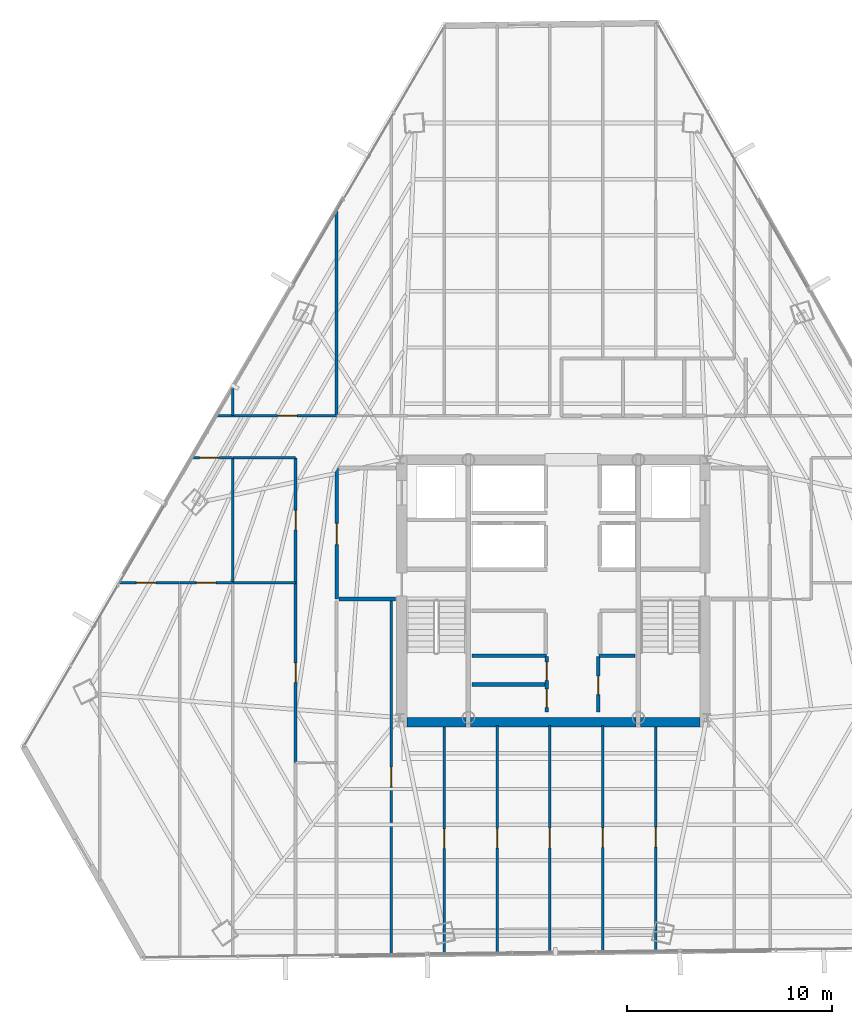
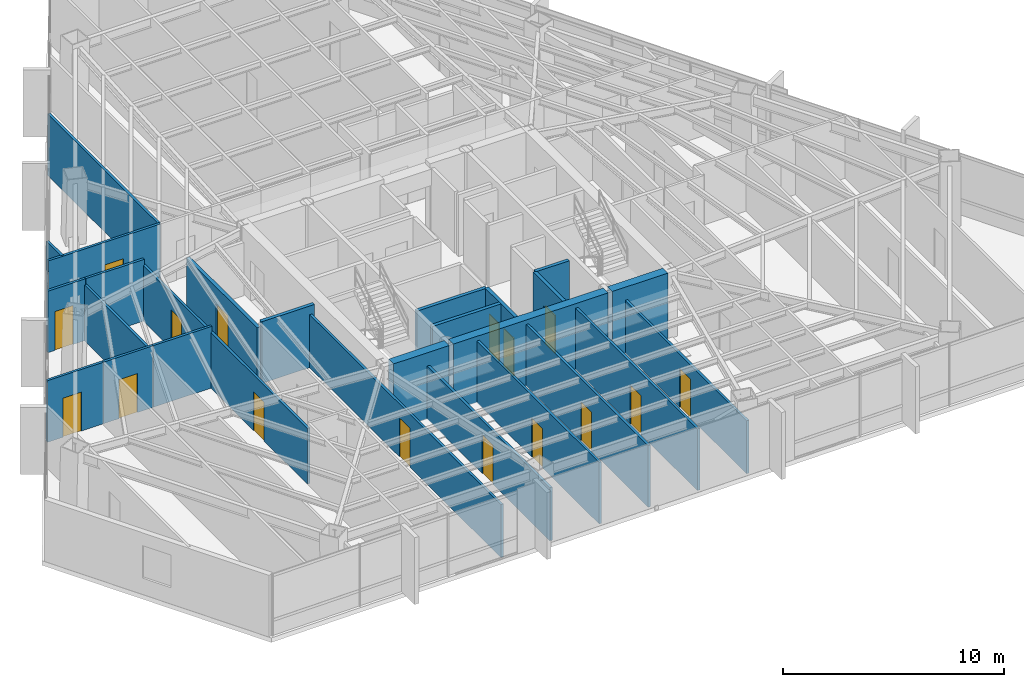
# One storey, part 36 of 42: 27 walls, 16 doors, 16 openings.
"""IFC4 building model written with IfcOpenShell, lengths in metres."""

from ifc_helpers import new_model, si_unit, direction, frame, frame_2d, origin, place, context, subcontext, project, spatial, rectangle, extrude, material, layer, layer_set, type_object, element, fill, save


model = new_model("IFC4")

# Units and contexts
model_context = context("Model", 3, precision=1e-05, world=origin(), true_north=direction((0.0, 1.0)))
body_context = subcontext(model_context, "Body", "Model", "MODEL_VIEW")
ifc_project = project(units=[si_unit("LENGTHUNIT", "METRE"), si_unit("AREAUNIT", "SQUARE_METRE"), si_unit("VOLUMEUNIT", "CUBIC_METRE"), si_unit("PLANEANGLEUNIT", "RADIAN"), si_unit("MASSUNIT", "GRAM", prefix="KILO")], contexts=[model_context])

# Site, building, storey
site_placement = place(None, origin())
site = spatial("IfcSite", under=ifc_project, at=site_placement, CompositionType="ELEMENT")
building_placement = place(site_placement, origin())
building = spatial("IfcBuilding", under=site, at=building_placement, Name="Caelisora Broadcast Tower", CompositionType="ELEMENT")
storey_placement = place(building_placement, frame((0.0, 0.0, 131.800048828125)))
storey = spatial("IfcBuildingStorey", under=building, at=storey_placement, Name="L34", CompositionType="ELEMENT", Elevation=131.800048828125)

# Walls
ifc_material_1 = material(Name="Concrete 50 MPa (AS 3600 S50)", Category="concrete")
ifc_layer_1 = layer(ifc_material_1, 0.449951171875, Name="Concrete 50 MPa (AS 3600 S50)")
ifc_layer_set_1 = layer_set([ifc_layer_1], Name="Concrete 50 MPa (AS 3600 S50)")
wall_type_1 = type_object("IfcWallType", Name="CW5", PredefinedType="SHEAR", material=ifc_layer_set_1)
wall_1_placement = place(storey_placement, frame((30.840087890625, 17.175048828125, 0.0), z_axis=(0.0, 0.0, 1.0), x_axis=(1.0, 0.0, 0.0)))
element("IfcWall", 1, at=wall_1_placement, inside=storey, type_object=wall_type_1, Name="L34 core shear wall CW5", PredefinedType="SHEAR", context=body_context, shape_type="SweptSolid", body=[
    extrude(rectangle(XDim=2.89990234375, YDim=0.449951171875, at=frame_2d((1.449951171875, 0.0))), origin(), (0.0, 0.0, 1.0), 3.64990234375),
])
wall_2_placement = place(storey_placement, frame((33.9599609375, 17.175048828125, 0.0), z_axis=(0.0, 0.0, 1.0), x_axis=(1.0, 0.0, 0.0)))
element("IfcWall", 2, at=wall_2_placement, inside=storey, type_object=wall_type_1, Name="L34 core shear wall CW5", PredefinedType="SHEAR", context=body_context, shape_type="SweptSolid", body=[
    extrude(rectangle(XDim=8.080078125, YDim=0.449951171875, at=frame_2d((4.0400390625, 0.0))), origin(), (0.0, 0.0, 1.0), 3.64990234375),
])
wall_3_placement = place(storey_placement, frame((42.260009765625, 17.175048828125, 0.0), z_axis=(0.0, 0.0, 1.0), x_axis=(1.0, 0.0, 0.0)))
element("IfcWall", 3, at=wall_3_placement, inside=storey, type_object=wall_type_1, Name="L34 core shear wall CW5", PredefinedType="SHEAR", context=body_context, shape_type="SweptSolid", body=[
    extrude(rectangle(XDim=2.89990234375, YDim=0.449951171875, at=frame_2d((1.449951171875, 0.0))), origin(), (0.0, 0.0, 1.0), 3.64990234375),
])

# Wall, opening, door
ifc_material_2 = material(Name="Fire-Rated Gypsum Shaft and Compartment Wall", Category="gypsum")
ifc_layer_2 = layer(ifc_material_2, 0.179931640625, Name="Fire-Rated Gypsum Shaft and Compartment Wall")
ifc_layer_set_2 = layer_set([ifc_layer_2], Name="Fire-Rated Gypsum Shaft and Compartment Wall")
wall_type_2 = type_object("IfcWallType", Name="PW2", PredefinedType="PARTITIONING", material=ifc_layer_set_2)
wall_4_placement = place(storey_placement, frame((27.419921875, 23.199951171875, 0.0), z_axis=(0.0, 0.0, 1.0), x_axis=(0.0, 1.0, 0.0)))
wall_4 = element("IfcWall", 4, at=wall_4_placement, inside=storey, type_object=wall_type_2, Name="L34 fire compartment wall PW2", PredefinedType="PARTITIONING", context=body_context, shape_type="SweptSolid", body=[
    extrude(rectangle(XDim=6.400146484375, YDim=0.179931640625, at=frame_2d((3.2001953125, 0.0))), origin(), (0.0, 0.0, 1.0), 3.07763671875),
])
opening_1_placement = place(wall_4_placement, frame((2.64990234375, 0.0, 0.0)))
opening_1 = element("IfcOpeningElement", 5, at=opening_1_placement, cuts=wall_4, Name="Opening FD02", PredefinedType="OPENING", context=body_context, shape_type="SweptSolid", body=[
    extrude(rectangle(XDim=1.050048828125, YDim=2.14990234375, at=frame_2d((0.52490234375, 1.074951171875))), frame((0.0, 0.10205078125, 0.0), z_axis=(0.0, -1.0, 0.0), x_axis=(1.0, 0.0, 0.0)), (0.0, 0.0, 1.0), 0.203857421875),
])
ifc_material_3 = material(Name="Single-Leaf Steel Fire Lobby Door", Category="steel")
door_type_1 = type_object("IfcDoorType", Name="FD02", OperationType="NOTDEFINED", PredefinedType="DOOR", material=ifc_material_3)
door_1_placement = place(opening_1_placement, origin())
door_1 = element("IfcDoor", 6, at=door_1_placement, inside=storey, type_object=door_type_1, Name="L34 door FD02 (L34-DR-P01D1)", OperationType="SINGLE_SWING_RIGHT", OverallHeight=2.14990234375, OverallWidth=1.050048828125, PredefinedType="DOOR", context=body_context, shape_type="SweptSolid", body=[
    extrude(rectangle(XDim=1.050048828125, YDim=2.14990234375, at=frame_2d((0.52490234375, 1.074951171875))), frame((0.0, 0.02490234375, 0.0), z_axis=(0.0, -1.0, 0.0), x_axis=(1.0, 0.0, 0.0)), (0.0, 0.0, 1.0), 0.050048828125),
])
fill(opening_1, door_1)

# Walls
wall_5_placement = place(storey_placement, frame((27.52001953125, 23.199951171875, 0.0), z_axis=(0.0, 0.0, 1.0), x_axis=(1.0, 0.0, 0.0)))
element("IfcWall", 7, at=wall_5_placement, inside=storey, type_object=wall_type_2, Name="L34 fire compartment wall PW2", PredefinedType="PARTITIONING", context=body_context, shape_type="SweptSolid", body=[
    extrude(rectangle(XDim=2.760009765625, YDim=0.179931640625, at=frame_2d((1.3798828125, 0.0))), origin(), (0.0, 0.0, 1.0), 3.39990234375),
])
wall_6_placement = place(storey_placement, frame((34.02001953125, 20.419921875, 0.0), z_axis=(0.0, 0.0, 1.0), x_axis=(1.0, 0.0, 0.0)))
element("IfcWall", 8, at=wall_6_placement, inside=storey, type_object=wall_type_2, Name="L34 fire compartment wall PW2", PredefinedType="PARTITIONING", context=body_context, shape_type="SweptSolid", body=[
    extrude(rectangle(XDim=3.639892578125, YDim=0.179931640625, at=frame_2d((1.81982421875, 0.0))), origin(), (0.0, 0.0, 1.0), 3.39990234375),
])
wall_7_placement = place(storey_placement, frame((40.219970703125, 20.419921875, 0.0), z_axis=(0.0, 0.0, 1.0), x_axis=(1.0, 0.0, 0.0)))
element("IfcWall", 9, at=wall_7_placement, inside=storey, type_object=wall_type_2, Name="L34 fire compartment wall PW2", PredefinedType="PARTITIONING", context=body_context, shape_type="SweptSolid", body=[
    extrude(rectangle(XDim=1.760009765625, YDim=0.179931640625, at=frame_2d((0.8798828125, 0.0))), origin(), (0.0, 0.0, 1.0), 3.39990234375),
])
wall_8_placement = place(storey_placement, frame((34.02001953125, 19.02001953125, 0.0), z_axis=(0.0, 0.0, 1.0), x_axis=(1.0, 0.0, 0.0)))
element("IfcWall", 10, at=wall_8_placement, inside=storey, type_object=wall_type_2, Name="L34 fire compartment wall PW2", PredefinedType="PARTITIONING", context=body_context, shape_type="SweptSolid", body=[
    extrude(rectangle(XDim=3.580078125, YDim=0.179931640625, at=frame_2d((1.7900390625, 0.0))), origin(), (0.0, 0.0, 1.0), 3.39990234375),
])

# Wall, openings, doors
wall_9_placement = place(storey_placement, frame((37.679931640625, 17.679931640625, 0.0), z_axis=(0.0, 0.0, 1.0), x_axis=(0.0, 1.0, 0.0)))
wall_9 = element("IfcWall", 11, at=wall_9_placement, inside=storey, type_object=wall_type_2, Name="L34 fire compartment wall PW2", PredefinedType="PARTITIONING", context=body_context, shape_type="SweptSolid", body=[
    extrude(rectangle(XDim=2.699951171875, YDim=0.179931640625, at=frame_2d((1.35009765625, 0.0))), origin(), (0.0, 0.0, 1.0), 3.39990234375),
])
opening_2_placement = place(wall_9_placement, frame((0.219970703125, 0.0, 0.0)))
opening_2 = element("IfcOpeningElement", 12, at=opening_2_placement, cuts=wall_9, Name="Opening FD03", PredefinedType="OPENING", context=body_context, shape_type="SweptSolid", body=[
    extrude(rectangle(XDim=0.89990234375, YDim=2.10009765625, at=frame_2d((0.449951171875, 1.050048828125))), frame((0.0, 0.10205078125, 0.0), z_axis=(0.0, -1.0, 0.0), x_axis=(1.0, 0.0, 0.0)), (0.0, 0.0, 1.0), 0.203857421875),
])
opening_3_placement = place(wall_9_placement, frame((1.5400390625, 0.0, 0.0)))
opening_3 = element("IfcOpeningElement", 13, at=opening_3_placement, cuts=wall_9, Name="Opening FD03", PredefinedType="OPENING", context=body_context, shape_type="SweptSolid", body=[
    extrude(rectangle(XDim=0.89990234375, YDim=2.10009765625, at=frame_2d((0.449951171875, 1.050048828125))), frame((0.0, 0.10205078125, 0.0), z_axis=(0.0, -1.0, 0.0), x_axis=(1.0, 0.0, 0.0)), (0.0, 0.0, 1.0), 0.203857421875),
])
ifc_material_4 = material(Name="Single-Leaf Steel Riser Fire Access Door", Category="steel")
door_type_2 = type_object("IfcDoorType", Name="FD03", OperationType="NOTDEFINED", PredefinedType="DOOR", material=ifc_material_4)
door_2_placement = place(opening_2_placement, origin())
door_2 = element("IfcDoor", 14, at=door_2_placement, inside=storey, type_object=door_type_2, Name="L34 door FD03 (L34-DR-P12D1)", OperationType="SINGLE_SWING_RIGHT", OverallHeight=2.10009765625, OverallWidth=0.89990234375, PredefinedType="DOOR", context=body_context, shape_type="SweptSolid", body=[
    extrude(rectangle(XDim=0.89990234375, YDim=2.10009765625, at=frame_2d((0.449951171875, 1.050048828125))), frame((0.0, 0.02490234375, 0.0), z_axis=(0.0, -1.0, 0.0), x_axis=(1.0, 0.0, 0.0)), (0.0, 0.0, 1.0), 0.050048828125),
])
fill(opening_2, door_2)
door_3_placement = place(opening_3_placement, origin())
door_3 = element("IfcDoor", 15, at=door_3_placement, inside=storey, type_object=door_type_2, Name="L34 door FD03 (L34-DR-P12D2)", OperationType="SINGLE_SWING_LEFT", OverallHeight=2.10009765625, OverallWidth=0.89990234375, PredefinedType="DOOR", context=body_context, shape_type="SweptSolid", body=[
    extrude(rectangle(XDim=0.89990234375, YDim=2.10009765625, at=frame_2d((0.449951171875, 1.050048828125))), frame((0.0, 0.02490234375, 0.0), z_axis=(0.0, -1.0, 0.0), x_axis=(1.0, 0.0, 0.0)), (0.0, 0.0, 1.0), 0.050048828125),
])
fill(opening_3, door_3)

# Wall, opening, door
wall_10_placement = place(storey_placement, frame((40.199951171875, 17.679931640625, 0.0), z_axis=(0.0, 0.0, 1.0), x_axis=(0.0, 1.0, 0.0)))
wall_10 = element("IfcWall", 16, at=wall_10_placement, inside=storey, type_object=wall_type_2, Name="L34 fire compartment wall PW2", PredefinedType="PARTITIONING", context=body_context, shape_type="SweptSolid", body=[
    extrude(rectangle(XDim=2.699951171875, YDim=0.179931640625, at=frame_2d((1.35009765625, 0.0))), origin(), (0.0, 0.0, 1.0), 3.39990234375),
])
opening_4_placement = place(wall_10_placement, frame((0.85009765625, 0.0, 0.0)))
opening_4 = element("IfcOpeningElement", 17, at=opening_4_placement, cuts=wall_10, Name="Opening FD03", PredefinedType="OPENING", context=body_context, shape_type="SweptSolid", body=[
    extrude(rectangle(XDim=0.89990234375, YDim=2.10009765625, at=frame_2d((0.449951171875, 1.050048828125))), frame((0.0, 0.10205078125, 0.0), z_axis=(0.0, -1.0, 0.0), x_axis=(1.0, 0.0, 0.0)), (0.0, 0.0, 1.0), 0.203857421875),
])
door_4_placement = place(opening_4_placement, origin())
door_4 = element("IfcDoor", 18, at=door_4_placement, inside=storey, type_object=door_type_2, Name="L34 door FD03 (L34-DR-P13D1)", OperationType="SINGLE_SWING_RIGHT", OverallHeight=2.10009765625, OverallWidth=0.89990234375, PredefinedType="DOOR", context=body_context, shape_type="SweptSolid", body=[
    extrude(rectangle(XDim=0.89990234375, YDim=2.10009765625, at=frame_2d((0.449951171875, 1.050048828125))), frame((0.0, 0.02490234375, 0.0), z_axis=(0.0, -1.0, 0.0), x_axis=(1.0, 0.0, 0.0)), (0.0, 0.0, 1.0), 0.050048828125),
])
fill(opening_4, door_4)

ifc_material_5 = material(Name="Acoustic Steel-Stud Plasterboard Partition", Category="gypsum")
ifc_layer_3 = layer(ifc_material_5, 0.1298828125, Name="Acoustic Steel-Stud Plasterboard Partition")
ifc_layer_set_3 = layer_set([ifc_layer_3], Name="Acoustic Steel-Stud Plasterboard Partition")
wall_type_3 = type_object("IfcWallType", Name="PW3", PredefinedType="PARTITIONING", material=ifc_layer_set_3)
wall_11_placement = place(storey_placement, frame((30.080078125, 5.826416015625, 0.0), z_axis=(0.0, 0.0, 1.0), x_axis=(0.0, 1.0, 0.0)))
wall_11 = element("IfcWall", 19, at=wall_11_placement, inside=storey, type_object=wall_type_3, Name="L34 internal partition PW3", PredefinedType="PARTITIONING", context=body_context, shape_type="SweptSolid", body=[
    extrude(rectangle(XDim=17.278564453125, YDim=0.1298828125, at=frame_2d((8.63916015625, 0.0))), origin(), (0.0, 0.0, 1.0), 2.924560546875),
])
opening_5_placement = place(wall_11_placement, frame((8.20703125, 0.0, 0.0)))
opening_5 = element("IfcOpeningElement", 20, at=opening_5_placement, cuts=wall_11, Name="Opening D01", PredefinedType="OPENING", context=body_context, shape_type="SweptSolid", body=[
    extrude(rectangle(XDim=0.9599609375, YDim=2.14990234375, at=frame_2d((0.47998046875, 1.074951171875))), frame((0.0, 0.076904296875, 0.0), z_axis=(0.0, -1.0, 0.0), x_axis=(1.0, 0.0, 0.0)), (0.0, 0.0, 1.0), 0.15380859375),
])
ifc_material_6 = material(Name="Solid-Core Timber Acoustic Office Door", Category="wood")
door_type_3 = type_object("IfcDoorType", Name="D01", OperationType="NOTDEFINED", PredefinedType="DOOR", material=ifc_material_6)
door_5_placement = place(opening_5_placement, origin())
door_5 = element("IfcDoor", 21, at=door_5_placement, inside=storey, type_object=door_type_3, Name="L34 door D01 (L34-DR-P35D1)", OperationType="SINGLE_SWING_LEFT", OverallHeight=2.14990234375, OverallWidth=0.9599609375, PredefinedType="DOOR", context=body_context, shape_type="SweptSolid", body=[
    extrude(rectangle(XDim=0.9599609375, YDim=2.14990234375, at=frame_2d((0.47998046875, 1.074951171875))), frame((0.0, 0.02490234375, 0.0), z_axis=(0.0, -1.0, 0.0), x_axis=(1.0, 0.0, 0.0)), (0.0, 0.0, 1.0), 0.050048828125),
])
fill(opening_5, door_5)

wall_12_placement = place(storey_placement, frame((32.659912109375, 5.858642578125, 0.0), z_axis=(0.0, 0.0, 1.0), x_axis=(0.0, 1.0, 0.0)))
wall_12 = element("IfcWall", 22, at=wall_12_placement, inside=storey, type_object=wall_type_3, Name="L34 internal partition PW3", PredefinedType="PARTITIONING", context=body_context, shape_type="SweptSolid", body=[
    extrude(rectangle(XDim=11.166259765625, YDim=0.1298828125, at=frame_2d((5.5830078125, 0.0))), origin(), (0.0, 0.0, 1.0), 2.924560546875),
])
opening_6_placement = place(wall_12_placement, frame((5.152099609375, 0.0, 0.0)))
opening_6 = element("IfcOpeningElement", 23, at=opening_6_placement, cuts=wall_12, Name="Opening D01", PredefinedType="OPENING", context=body_context, shape_type="SweptSolid", body=[
    extrude(rectangle(XDim=0.9599609375, YDim=2.14990234375, at=frame_2d((0.47998046875, 1.074951171875))), frame((0.0, 0.076904296875, 0.0), z_axis=(0.0, -1.0, 0.0), x_axis=(1.0, 0.0, 0.0)), (0.0, 0.0, 1.0), 0.15380859375),
])
door_6_placement = place(opening_6_placement, origin())
door_6 = element("IfcDoor", 24, at=door_6_placement, inside=storey, type_object=door_type_3, Name="L34 door D01 (L34-DR-P42D1)", OperationType="SINGLE_SWING_LEFT", OverallHeight=2.14990234375, OverallWidth=0.9599609375, PredefinedType="DOOR", context=body_context, shape_type="SweptSolid", body=[
    extrude(rectangle(XDim=0.9599609375, YDim=2.14990234375, at=frame_2d((0.47998046875, 1.074951171875))), frame((0.0, 0.02490234375, 0.0), z_axis=(0.0, -1.0, 0.0), x_axis=(1.0, 0.0, 0.0)), (0.0, 0.0, 1.0), 0.050048828125),
])
fill(opening_6, door_6)

wall_13_placement = place(storey_placement, frame((35.25, 5.89111328125, 0.0), z_axis=(0.0, 0.0, 1.0), x_axis=(0.0, 1.0, 0.0)))
wall_13 = element("IfcWall", 25, at=wall_13_placement, inside=storey, type_object=wall_type_3, Name="L34 internal partition PW3", PredefinedType="PARTITIONING", context=body_context, shape_type="SweptSolid", body=[
    extrude(rectangle(XDim=11.1337890625, YDim=0.1298828125, at=frame_2d((5.56689453125, 0.0))), origin(), (0.0, 0.0, 1.0), 3.39990234375),
])
opening_7_placement = place(wall_13_placement, frame((5.132080078125, 0.0, 0.0)))
opening_7 = element("IfcOpeningElement", 26, at=opening_7_placement, cuts=wall_13, Name="Opening D01", PredefinedType="OPENING", context=body_context, shape_type="SweptSolid", body=[
    extrude(rectangle(XDim=0.9599609375, YDim=2.14990234375, at=frame_2d((0.47998046875, 1.074951171875))), frame((0.0, 0.076904296875, 0.0), z_axis=(0.0, -1.0, 0.0), x_axis=(1.0, 0.0, 0.0)), (0.0, 0.0, 1.0), 0.15380859375),
])
door_7_placement = place(opening_7_placement, origin())
door_7 = element("IfcDoor", 27, at=door_7_placement, inside=storey, type_object=door_type_3, Name="L34 door D01 (L34-DR-P43D1)", OperationType="SINGLE_SWING_RIGHT", OverallHeight=2.14990234375, OverallWidth=0.9599609375, PredefinedType="DOOR", context=body_context, shape_type="SweptSolid", body=[
    extrude(rectangle(XDim=0.9599609375, YDim=2.14990234375, at=frame_2d((0.47998046875, 1.074951171875))), frame((0.0, 0.02490234375, 0.0), z_axis=(0.0, -1.0, 0.0), x_axis=(1.0, 0.0, 0.0)), (0.0, 0.0, 1.0), 0.050048828125),
])
fill(opening_7, door_7)

wall_14_placement = place(storey_placement, frame((37.830078125, 5.923583984375, 0.0), z_axis=(0.0, 0.0, 1.0), x_axis=(0.0, 1.0, 0.0)))
wall_14 = element("IfcWall", 28, at=wall_14_placement, inside=storey, type_object=wall_type_3, Name="L34 internal partition PW3", PredefinedType="PARTITIONING", context=body_context, shape_type="SweptSolid", body=[
    extrude(rectangle(XDim=11.101318359375, YDim=0.1298828125, at=frame_2d((5.55078125, 0.0))), origin(), (0.0, 0.0, 1.0), 3.39990234375),
])
opening_8_placement = place(wall_14_placement, frame((5.116943359375, 0.0, 0.0)))
opening_8 = element("IfcOpeningElement", 29, at=opening_8_placement, cuts=wall_14, Name="Opening D01", PredefinedType="OPENING", context=body_context, shape_type="SweptSolid", body=[
    extrude(rectangle(XDim=0.9599609375, YDim=2.14990234375, at=frame_2d((0.47998046875, 1.074951171875))), frame((0.0, 0.076904296875, 0.0), z_axis=(0.0, -1.0, 0.0), x_axis=(1.0, 0.0, 0.0)), (0.0, 0.0, 1.0), 0.15380859375),
])
door_8_placement = place(opening_8_placement, origin())
door_8 = element("IfcDoor", 30, at=door_8_placement, inside=storey, type_object=door_type_3, Name="L34 door D01 (L34-DR-P44D1)", OperationType="SINGLE_SWING_LEFT", OverallHeight=2.14990234375, OverallWidth=0.9599609375, PredefinedType="DOOR", context=body_context, shape_type="SweptSolid", body=[
    extrude(rectangle(XDim=0.9599609375, YDim=2.14990234375, at=frame_2d((0.47998046875, 1.074951171875))), frame((0.0, 0.02490234375, 0.0), z_axis=(0.0, -1.0, 0.0), x_axis=(1.0, 0.0, 0.0)), (0.0, 0.0, 1.0), 0.050048828125),
])
fill(opening_8, door_8)

wall_15_placement = place(storey_placement, frame((40.409912109375, 5.9560546875, 0.0), z_axis=(0.0, 0.0, 1.0), x_axis=(0.0, 1.0, 0.0)))
wall_15 = element("IfcWall", 31, at=wall_15_placement, inside=storey, type_object=wall_type_3, Name="L34 internal partition PW3", PredefinedType="PARTITIONING", context=body_context, shape_type="SweptSolid", body=[
    extrude(rectangle(XDim=11.06884765625, YDim=0.1298828125, at=frame_2d((5.534423828125, 0.0))), origin(), (0.0, 0.0, 1.0), 3.39990234375),
])
opening_9_placement = place(wall_15_placement, frame((5.10205078125, 0.0, 0.0)))
opening_9 = element("IfcOpeningElement", 32, at=opening_9_placement, cuts=wall_15, Name="Opening D01", PredefinedType="OPENING", context=body_context, shape_type="SweptSolid", body=[
    extrude(rectangle(XDim=0.9599609375, YDim=2.14990234375, at=frame_2d((0.47998046875, 1.074951171875))), frame((0.0, 0.076904296875, 0.0), z_axis=(0.0, -1.0, 0.0), x_axis=(1.0, 0.0, 0.0)), (0.0, 0.0, 1.0), 0.15380859375),
])
door_9_placement = place(opening_9_placement, origin())
door_9 = element("IfcDoor", 33, at=door_9_placement, inside=storey, type_object=door_type_3, Name="L34 door D01 (L34-DR-P45D1)", OperationType="SINGLE_SWING_RIGHT", OverallHeight=2.14990234375, OverallWidth=0.9599609375, PredefinedType="DOOR", context=body_context, shape_type="SweptSolid", body=[
    extrude(rectangle(XDim=0.9599609375, YDim=2.14990234375, at=frame_2d((0.47998046875, 1.074951171875))), frame((0.0, 0.02490234375, 0.0), z_axis=(0.0, -1.0, 0.0), x_axis=(1.0, 0.0, 0.0)), (0.0, 0.0, 1.0), 0.050048828125),
])
fill(opening_9, door_9)

wall_16_placement = place(storey_placement, frame((43.0, 5.988525390625, 0.0), z_axis=(0.0, 0.0, 1.0), x_axis=(0.0, 1.0, 0.0)))
wall_16 = element("IfcWall", 34, at=wall_16_placement, inside=storey, type_object=wall_type_3, Name="L34 internal partition PW3", PredefinedType="PARTITIONING", context=body_context, shape_type="SweptSolid", body=[
    extrude(rectangle(XDim=11.036376953125, YDim=0.1298828125, at=frame_2d((5.51806640625, 0.0))), origin(), (0.0, 0.0, 1.0), 2.924560546875),
])
opening_10_placement = place(wall_16_placement, frame((5.0869140625, 0.0, 0.0)))
opening_10 = element("IfcOpeningElement", 35, at=opening_10_placement, cuts=wall_16, Name="Opening D01", PredefinedType="OPENING", context=body_context, shape_type="SweptSolid", body=[
    extrude(rectangle(XDim=0.9599609375, YDim=2.14990234375, at=frame_2d((0.47998046875, 1.074951171875))), frame((0.0, 0.076904296875, 0.0), z_axis=(0.0, -1.0, 0.0), x_axis=(1.0, 0.0, 0.0)), (0.0, 0.0, 1.0), 0.15380859375),
])
door_10_placement = place(opening_10_placement, origin())
door_10 = element("IfcDoor", 36, at=door_10_placement, inside=storey, type_object=door_type_3, Name="L34 door D01 (L34-DR-P46D1)", OperationType="SINGLE_SWING_LEFT", OverallHeight=2.14990234375, OverallWidth=0.9599609375, PredefinedType="DOOR", context=body_context, shape_type="SweptSolid", body=[
    extrude(rectangle(XDim=0.9599609375, YDim=2.14990234375, at=frame_2d((0.47998046875, 1.074951171875))), frame((0.0, 0.02490234375, 0.0), z_axis=(0.0, -1.0, 0.0), x_axis=(1.0, 0.0, 0.0)), (0.0, 0.0, 1.0), 0.050048828125),
])
fill(opening_10, door_10)

# Wall
wall_17_placement = place(storey_placement, frame((27.39990234375, 32.155029296875, 0.0), z_axis=(0.0, 0.0, 1.0), x_axis=(0.0, 1.0, 0.0)))
element("IfcWall", 37, at=wall_17_placement, inside=storey, type_object=wall_type_3, Name="L34 internal partition PW3", PredefinedType="PARTITIONING", context=body_context, shape_type="SweptSolid", body=[
    extrude(rectangle(XDim=9.995849609375, YDim=0.1298828125, at=frame_2d((4.998046875, 0.0))), origin(), (0.0, 0.0, 1.0), 3.39990234375),
])

# Wall, opening, door
wall_18_placement = place(storey_placement, frame((25.39990234375, 15.205078125, 0.0), z_axis=(0.0, 0.0, 1.0), x_axis=(0.0, 1.0, 0.0)))
wall_18 = element("IfcWall", 38, at=wall_18_placement, inside=storey, type_object=wall_type_3, Name="L34 internal partition PW3", PredefinedType="PARTITIONING", context=body_context, shape_type="SweptSolid", body=[
    extrude(rectangle(XDim=8.7900390625, YDim=0.1298828125, at=frame_2d((4.39501953125, 0.0))), origin(), (0.0, 0.0, 1.0), 3.07763671875),
])
opening_11_placement = place(wall_18_placement, frame((3.9150390625, 0.0, 0.0)))
opening_11 = element("IfcOpeningElement", 39, at=opening_11_placement, cuts=wall_18, Name="Opening D01", PredefinedType="OPENING", context=body_context, shape_type="SweptSolid", body=[
    extrude(rectangle(XDim=0.9599609375, YDim=2.14990234375, at=frame_2d((0.47998046875, 1.074951171875))), frame((0.0, 0.076904296875, 0.0), z_axis=(0.0, -1.0, 0.0), x_axis=(1.0, 0.0, 0.0)), (0.0, 0.0, 1.0), 0.15380859375),
])
door_11_placement = place(opening_11_placement, origin())
door_11 = element("IfcDoor", 40, at=door_11_placement, inside=storey, type_object=door_type_3, Name="L34 door D01 (L34-DR-P53D1)", OperationType="SINGLE_SWING_RIGHT", OverallHeight=2.14990234375, OverallWidth=0.9599609375, PredefinedType="DOOR", context=body_context, shape_type="SweptSolid", body=[
    extrude(rectangle(XDim=0.9599609375, YDim=2.14990234375, at=frame_2d((0.47998046875, 1.074951171875))), frame((0.0, 0.02490234375, 0.0), z_axis=(0.0, -1.0, 0.0), x_axis=(1.0, 0.0, 0.0)), (0.0, 0.0, 1.0), 0.050048828125),
])
fill(opening_11, door_11)

wall_19_placement = place(storey_placement, frame((25.39990234375, 30.094970703125, 0.0), z_axis=(0.0, 0.0, 1.0), x_axis=(0.0, -1.0, 0.0)))
wall_19 = element("IfcWall", 41, at=wall_19_placement, inside=storey, type_object=wall_type_3, Name="L34 internal partition PW3", PredefinedType="PARTITIONING", context=body_context, shape_type="SweptSolid", body=[
    extrude(rectangle(XDim=6.090087890625, YDim=0.1298828125, at=frame_2d((3.044921875, 0.0))), origin(), (0.0, 0.0, 1.0), 3.07763671875),
])
opening_12_placement = place(wall_19_placement, frame((2.56494140625, 0.0, 0.0)))
opening_12 = element("IfcOpeningElement", 42, at=opening_12_placement, cuts=wall_19, Name="Opening D01", PredefinedType="OPENING", context=body_context, shape_type="SweptSolid", body=[
    extrude(rectangle(XDim=0.9599609375, YDim=2.14990234375, at=frame_2d((0.47998046875, 1.074951171875))), frame((0.0, 0.076904296875, 0.0), z_axis=(0.0, -1.0, 0.0), x_axis=(1.0, 0.0, 0.0)), (0.0, 0.0, 1.0), 0.15380859375),
])
door_12_placement = place(opening_12_placement, origin())
door_12 = element("IfcDoor", 43, at=door_12_placement, inside=storey, type_object=door_type_3, Name="L34 door D01 (L34-DR-P56D1)", OperationType="SINGLE_SWING_RIGHT", OverallHeight=2.14990234375, OverallWidth=0.9599609375, PredefinedType="DOOR", context=body_context, shape_type="SweptSolid", body=[
    extrude(rectangle(XDim=0.9599609375, YDim=2.14990234375, at=frame_2d((0.47998046875, 1.074951171875))), frame((0.0, 0.02490234375, 0.0), z_axis=(0.0, -1.0, 0.0), x_axis=(1.0, 0.0, 0.0)), (0.0, 0.0, 1.0), 0.050048828125),
])
fill(opening_12, door_12)

# Wall
wall_20_placement = place(storey_placement, frame((22.330078125, 24.0048828125, 0.0), z_axis=(0.0, 0.0, 1.0), x_axis=(0.0, 1.0, 0.0)))
element("IfcWall", 44, at=wall_20_placement, inside=storey, type_object=wall_type_3, Name="L34 internal partition PW3", PredefinedType="PARTITIONING", context=body_context, shape_type="SweptSolid", body=[
    extrude(rectangle(XDim=6.090087890625, YDim=0.1298828125, at=frame_2d((3.044921875, 0.0))), origin(), (0.0, 0.0, 1.0), 3.07763671875),
])

# Wall, opening, door
wall_21_placement = place(storey_placement, frame((21.58154296875, 32.14990234375, 0.0), z_axis=(0.0, 0.0, 1.0), x_axis=(1.0, 0.0, 0.0)))
wall_21 = element("IfcWall", 45, at=wall_21_placement, inside=storey, type_object=wall_type_3, Name="L34 internal partition PW3", PredefinedType="PARTITIONING", context=body_context, shape_type="SweptSolid", body=[
    extrude(rectangle(XDim=5.8134765625, YDim=0.1298828125, at=frame_2d((2.90673828125, 0.0))), origin(), (0.0, 0.0, 1.0), 3.39990234375),
])
opening_13_placement = place(wall_21_placement, frame((2.93994140625, 0.0, 0.0)))
opening_13 = element("IfcOpeningElement", 46, at=opening_13_placement, cuts=wall_21, Name="Opening D01", PredefinedType="OPENING", context=body_context, shape_type="SweptSolid", body=[
    extrude(rectangle(XDim=0.9599609375, YDim=2.14990234375, at=frame_2d((0.47998046875, 1.074951171875))), frame((0.0, 0.076904296875, 0.0), z_axis=(0.0, -1.0, 0.0), x_axis=(1.0, 0.0, 0.0)), (0.0, 0.0, 1.0), 0.15380859375),
])
door_13_placement = place(opening_13_placement, origin())
door_13 = element("IfcDoor", 47, at=door_13_placement, inside=storey, type_object=door_type_3, Name="L34 door D01 (L34-DR-P59D1)", OperationType="SINGLE_SWING_RIGHT", OverallHeight=2.14990234375, OverallWidth=0.9599609375, PredefinedType="DOOR", context=body_context, shape_type="SweptSolid", body=[
    extrude(rectangle(XDim=0.9599609375, YDim=2.14990234375, at=frame_2d((0.47998046875, 1.074951171875))), frame((0.0, 0.02490234375, 0.0), z_axis=(0.0, -1.0, 0.0), x_axis=(1.0, 0.0, 0.0)), (0.0, 0.0, 1.0), 0.050048828125),
])
fill(opening_13, door_13)

# Walls
for number, where, z_axis, x_axis, name in (
    (48, (22.3349609375, 30.10009765625, 0.0), (0.0, 0.0, 1.0), (1.0, 0.0, 0.0), "L34 internal partition PW3"),
    (49, (22.3349609375, 24.0, 0.0), (0.0, 0.0, 1.0), (1.0, 0.0, 0.0), "L34 internal partition PW3"),
):
    element("IfcWall", number, at=place(storey_placement, frame(where, z_axis=z_axis, x_axis=x_axis)), inside=storey, type_object=wall_type_3, Name=name, PredefinedType="PARTITIONING", context=body_context, shape_type="SweptSolid", body=[
        extrude(rectangle(XDim=3.06005859375, YDim=0.1298828125, at=frame_2d((1.530029296875, 0.0))), origin(), (0.0, 0.0, 1.0), 3.39990234375),
    ])

# Wall, opening, door
wall_22_placement = place(storey_placement, frame((19.7451171875, 24.0, 0.0), z_axis=(0.0, 0.0, 1.0), x_axis=(1.0, 0.0, 0.0)))
wall_22 = element("IfcWall", 50, at=wall_22_placement, inside=storey, type_object=wall_type_3, Name="L34 internal partition PW3", PredefinedType="PARTITIONING", context=body_context, shape_type="SweptSolid", body=[
    extrude(rectangle(XDim=2.579833984375, YDim=0.1298828125, at=frame_2d((1.2900390625, 0.0))), origin(), (0.0, 0.0, 1.0), 3.39990234375),
])
opening_14_placement = place(wall_22_placement, frame((0.81005859375, 0.0, 0.0)))
opening_14 = element("IfcOpeningElement", 51, at=opening_14_placement, cuts=wall_22, Name="Opening D01", PredefinedType="OPENING", context=body_context, shape_type="SweptSolid", body=[
    extrude(rectangle(XDim=0.9599609375, YDim=2.14990234375, at=frame_2d((0.47998046875, 1.074951171875))), frame((0.0, 0.076904296875, 0.0), z_axis=(0.0, -1.0, 0.0), x_axis=(1.0, 0.0, 0.0)), (0.0, 0.0, 1.0), 0.15380859375),
])
door_14_placement = place(opening_14_placement, origin())
door_14 = element("IfcDoor", 52, at=door_14_placement, inside=storey, type_object=door_type_3, Name="L34 door D01 (L34-DR-P68D1)", OperationType="SINGLE_SWING_LEFT", OverallHeight=2.14990234375, OverallWidth=0.9599609375, PredefinedType="DOOR", context=body_context, shape_type="SweptSolid", body=[
    extrude(rectangle(XDim=0.9599609375, YDim=2.14990234375, at=frame_2d((0.47998046875, 1.074951171875))), frame((0.0, 0.02490234375, 0.0), z_axis=(0.0, -1.0, 0.0), x_axis=(1.0, 0.0, 0.0)), (0.0, 0.0, 1.0), 0.050048828125),
])
fill(opening_14, door_14)

wall_23_placement = place(storey_placement, frame((16.81884765625, 24.0, 0.0), z_axis=(0.0, 0.0, 1.0), x_axis=(1.0, 0.0, 0.0)))
wall_23 = element("IfcWall", 53, at=wall_23_placement, inside=storey, type_object=wall_type_3, Name="L34 internal partition PW3", PredefinedType="PARTITIONING", context=body_context, shape_type="SweptSolid", body=[
    extrude(rectangle(XDim=2.916259765625, YDim=0.1298828125, at=frame_2d((1.4580078125, 0.0))), origin(), (0.0, 0.0, 1.0), 3.39990234375),
])
opening_15_placement = place(wall_23_placement, frame((0.797119140625, 0.0, 0.0)))
opening_15 = element("IfcOpeningElement", 54, at=opening_15_placement, cuts=wall_23, Name="Opening D01", PredefinedType="OPENING", context=body_context, shape_type="SweptSolid", body=[
    extrude(rectangle(XDim=0.9599609375, YDim=2.14990234375, at=frame_2d((0.47998046875, 1.074951171875))), frame((0.0, 0.076904296875, 0.0), z_axis=(0.0, -1.0, 0.0), x_axis=(1.0, 0.0, 0.0)), (0.0, 0.0, 1.0), 0.15380859375),
])
door_15_placement = place(opening_15_placement, origin())
door_15 = element("IfcDoor", 55, at=door_15_placement, inside=storey, type_object=door_type_3, Name="L34 door D01 (L34-DR-P71D1)", OperationType="SINGLE_SWING_RIGHT", OverallHeight=2.14990234375, OverallWidth=0.9599609375, PredefinedType="DOOR", context=body_context, shape_type="SweptSolid", body=[
    extrude(rectangle(XDim=0.9599609375, YDim=2.14990234375, at=frame_2d((0.47998046875, 1.074951171875))), frame((0.0, 0.02490234375, 0.0), z_axis=(0.0, -1.0, 0.0), x_axis=(1.0, 0.0, 0.0)), (0.0, 0.0, 1.0), 0.050048828125),
])
fill(opening_15, door_15)

wall_24_placement = place(storey_placement, frame((20.35791015625, 30.10009765625, 0.0), z_axis=(0.0, 0.0, 1.0), x_axis=(1.0, 0.0, 0.0)))
wall_24 = element("IfcWall", 56, at=wall_24_placement, inside=storey, type_object=wall_type_3, Name="L34 internal partition PW3", PredefinedType="PARTITIONING", context=body_context, shape_type="SweptSolid", body=[
    extrude(rectangle(XDim=1.967041015625, YDim=0.1298828125, at=frame_2d((0.9833984375, 0.0))), origin(), (0.0, 0.0, 1.0), 3.39990234375),
])
opening_16_placement = place(wall_24_placement, frame((0.360107421875, 0.0, 0.0)))
opening_16 = element("IfcOpeningElement", 57, at=opening_16_placement, cuts=wall_24, Name="Opening D01", PredefinedType="OPENING", context=body_context, shape_type="SweptSolid", body=[
    extrude(rectangle(XDim=0.9599609375, YDim=2.14990234375, at=frame_2d((0.47998046875, 1.074951171875))), frame((0.0, 0.076904296875, 0.0), z_axis=(0.0, -1.0, 0.0), x_axis=(1.0, 0.0, 0.0)), (0.0, 0.0, 1.0), 0.15380859375),
])
door_16_placement = place(opening_16_placement, origin())
door_16 = element("IfcDoor", 58, at=door_16_placement, inside=storey, type_object=door_type_3, Name="L34 door D01 (L34-DR-P73D1)", OperationType="SINGLE_SWING_LEFT", OverallHeight=2.14990234375, OverallWidth=0.9599609375, PredefinedType="DOOR", context=body_context, shape_type="SweptSolid", body=[
    extrude(rectangle(XDim=0.9599609375, YDim=2.14990234375, at=frame_2d((0.47998046875, 1.074951171875))), frame((0.0, 0.02490234375, 0.0), z_axis=(0.0, -1.0, 0.0), x_axis=(1.0, 0.0, 0.0)), (0.0, 0.0, 1.0), 0.050048828125),
])
fill(opening_16, door_16)

# Wall
wall_25_placement = place(storey_placement, frame((22.330078125, 32.155029296875, 0.0), z_axis=(0.0, 0.0, 1.0), x_axis=(0.0, 1.0, 0.0)))
element("IfcWall", 59, at=wall_25_placement, inside=storey, type_object=wall_type_3, Name="L34 internal partition PW3", PredefinedType="PARTITIONING", context=body_context, shape_type="SweptSolid", body=[
    extrude(rectangle(XDim=1.31982421875, YDim=0.1298828125, at=frame_2d((0.659912109375, 0.0))), origin(), (0.0, 0.0, 1.0), 3.39990234375),
])

save(model, "model.ifc")
